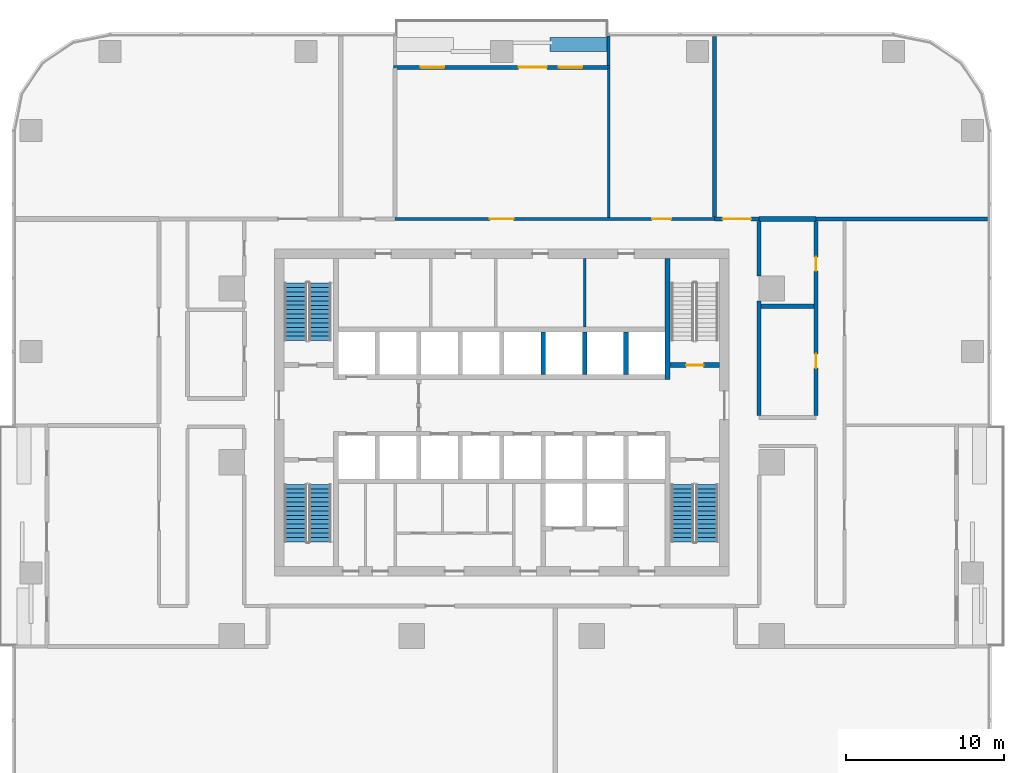
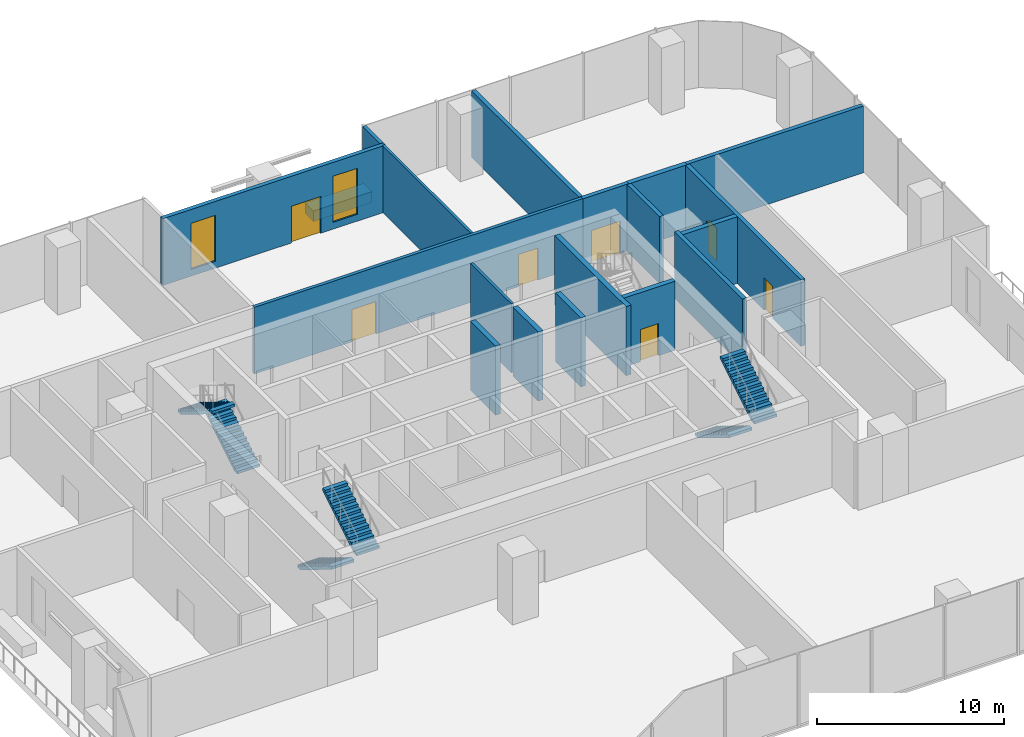
# One storey, part 10 of 14: 19 walls, 7 doors, 6 stair flights, 2 windows, 9 openings, 3 elements without a shape of their own.
"""IFC4 building model written with IfcOpenShell, lengths in metres."""

from ifc_helpers import new_model, si_unit, direction, frame, frame_2d, origin, place, context, subcontext, project, spatial, polyline, rectangle, outline, extrude, material, layer, layer_set, type_object, element, fill, aggregate, save


model = new_model("IFC4")

# Units and contexts
model_context = context("Model", 3, precision=1e-05, world=origin(), true_north=direction((0.0, 1.0)))
body_context = subcontext(model_context, "Body", "Model", "MODEL_VIEW")
ifc_project = project(units=[si_unit("LENGTHUNIT", "METRE"), si_unit("AREAUNIT", "SQUARE_METRE"), si_unit("VOLUMEUNIT", "CUBIC_METRE"), si_unit("PLANEANGLEUNIT", "RADIAN"), si_unit("MASSUNIT", "GRAM", prefix="KILO")], contexts=[model_context])

# Site, building, storey
site_placement = place(None, origin())
site = spatial("IfcSite", under=ifc_project, at=site_placement, CompositionType="ELEMENT")
building_placement = place(site_placement, origin())
building = spatial("IfcBuilding", under=site, at=building_placement, Name="Mopane Tessera Tower", CompositionType="ELEMENT")
storey_placement = place(building_placement, frame((0.0, 0.0, 40.60009765625)))
storey = spatial("IfcBuildingStorey", under=building, at=storey_placement, Name="L07", CompositionType="ELEMENT", Elevation=40.60009765625)

# Walls
ifc_material_1 = material(Name="Fire-rated gypsum board partition")
ifc_layer_1 = layer(ifc_material_1, 0.14990234375)
ifc_layer_set_1 = layer_set([ifc_layer_1], Name="Fire-rated gypsum board partition")
wall_type_1 = type_object("IfcWallType", Name="Core room partition 150 mm", PredefinedType="PARTITIONING", material=ifc_layer_set_1)
wall_1_placement = place(storey_placement, frame((5.25, 8.550048828125, 0.0), z_axis=(0.0, 0.0, 1.0), x_axis=(0.0, 1.0, 0.0)))
element("IfcWall", 1, at=wall_1_placement, inside=storey, type_object=wall_type_1, Name="L07 Room partition", PredefinedType="PARTITIONING", context=body_context, shape_type="SweptSolid", body=[
    extrude(rectangle(XDim=4.349853515625, YDim=0.14990234375, at=frame_2d((2.1748046875, 0.0))), origin(), (0.0, 0.0, 1.0), 4.5),
])
ifc_material_2 = material(Name="Concrete C60/75", Category="concrete")
ifc_layer_2 = layer(ifc_material_2, 0.300048828125)
ifc_layer_set_2 = layer_set([ifc_layer_2], Name="Concrete C60/75")
wall_type_2 = type_object("IfcWallType", Name="Core spine wall 300 mm", PredefinedType="SHEAR", material=ifc_layer_set_2)
wall_2_placement = place(storey_placement, frame((10.5, 5.25, 0.0), z_axis=(0.0, 0.0, 1.0), x_axis=(0.0, 1.0, 0.0)))
element("IfcWall", 2, at=wall_2_placement, inside=storey, type_object=wall_type_2, Name="L07 Core spine wall", PredefinedType="SHEAR", context=body_context, shape_type="SweptSolid", body=[
    extrude(rectangle(XDim=7.64990234375, YDim=0.300048828125, at=frame_2d((3.824951171875, 0.0))), origin(), (0.0, 0.0, 1.0), 4.5),
])

# Wall, openings, doors
ifc_material_3 = material(Name="Gypsum board on steel studs, two layers each face, mineral wool infill", Category="steel")
ifc_layer_3 = layer(ifc_material_3, 0.199951171875)
ifc_layer_set_3 = layer_set([ifc_layer_3], Name="Gypsum board on steel studs, two layers each face, mineral wool infill")
wall_type_3 = type_object("IfcWallType", Name="Gypsum board corridor wall 200, rated EI 60", PredefinedType="PARTITIONING", material=ifc_layer_set_3)
wall_3_placement = place(storey_placement, frame((-6.764892578125, 15.39990234375, 0.0), z_axis=(0.0, 0.0, 1.0), x_axis=(1.0, 0.0, 0.0)))
wall_3 = element("IfcWall", 3, at=wall_3_placement, inside=storey, type_object=wall_type_3, Name="Partition L07:017", PredefinedType="PARTITIONING", context=body_context, shape_type="SweptSolid", body=[
    extrude(rectangle(XDim=20.244873046875, YDim=0.199951171875, at=frame_2d((10.12255859375, 0.0))), origin(), (0.0, 0.0, 1.0), 4.349853515625),
])
opening_1_placement = place(wall_3_placement, frame((6.014892578125, 0.0, 0.0)))
opening_1 = element("IfcOpeningElement", 4, at=opening_1_placement, cuts=wall_3, Name="Opening L07-04", PredefinedType="OPENING", context=body_context, shape_type="SweptSolid", body=[
    extrude(rectangle(XDim=1.5, YDim=2.10009765625, at=frame_2d((0.75, 1.050048828125))), frame((0.0, 0.112060546875, 0.0), z_axis=(0.0, -1.0, 0.0), x_axis=(1.0, 0.0, 0.0)), (0.0, 0.0, 1.0), 0.223876953125),
])
opening_2_placement = place(wall_3_placement, frame((16.28759765625, 0.0, 0.0)))
opening_2 = element("IfcOpeningElement", 5, at=opening_2_placement, cuts=wall_3, Name="Opening L07-15", PredefinedType="OPENING", context=body_context, shape_type="SweptSolid", body=[
    extrude(rectangle(XDim=1.199951171875, YDim=2.10009765625, at=frame_2d((0.60009765625, 1.050048828125))), frame((0.0, 0.112060546875, 0.0), z_axis=(0.0, -1.0, 0.0), x_axis=(1.0, 0.0, 0.0)), (0.0, 0.0, 1.0), 0.223876953125),
])
ifc_material_4 = material(Name="Timber veneered steel-framed fire door", Category="steel")
door_type_1 = type_object("IfcDoorType", Name="Fire door FD60 1200 x 2100", OperationType="SINGLE_SWING_LEFT", PredefinedType="DOOR", material=ifc_material_4)
door_1_placement = place(opening_2_placement, origin())
door_1 = element("IfcDoor", 6, at=door_1_placement, inside=storey, type_object=door_type_1, Name="Door L07-15", ObjectType="D15A", OperationType="SINGLE_SWING_RIGHT", OverallHeight=2.10009765625, OverallWidth=1.199951171875, PredefinedType="DOOR", context=body_context, shape_type="SweptSolid", body=[
    extrude(rectangle(XDim=1.199951171875, YDim=2.10009765625, at=frame_2d((0.60009765625, 1.050048828125))), frame((0.0, 0.02490234375, 0.0), z_axis=(0.0, -1.0, 0.0), x_axis=(1.0, 0.0, 0.0)), (0.0, 0.0, 1.0), 0.050048828125),
])
fill(opening_2, door_1)
ifc_material_5 = material(Name="Timber veneered steel-framed fire door", Category="steel")
door_type_2 = type_object("IfcDoorType", Name="Fire door pair FD60 1500 x 2100", OperationType="DOUBLE_DOOR_SINGLE_SWING", PredefinedType="DOOR", material=ifc_material_5)
door_2_placement = place(opening_1_placement, origin())
door_2 = element("IfcDoor", 7, at=door_2_placement, inside=storey, type_object=door_type_2, Name="Door L07-04", ObjectType="D17A", OperationType="DOUBLE_DOOR_SINGLE_SWING", OverallHeight=2.10009765625, OverallWidth=1.5, PredefinedType="DOOR", context=body_context, shape_type="SweptSolid", body=[
    extrude(rectangle(XDim=1.5, YDim=2.10009765625, at=frame_2d((0.75, 1.050048828125))), frame((0.0, 0.02490234375, 0.0), z_axis=(0.0, -1.0, 0.0), x_axis=(1.0, 0.0, 0.0)), (0.0, 0.0, 1.0), 0.050048828125),
])
fill(opening_1, door_2)

# Wall
ifc_material_6 = material(Name="Gypsum board on steel studs, mineral wool infill", Category="steel")
ifc_layer_4 = layer(ifc_material_6, 0.14990234375)
ifc_layer_set_4 = layer_set([ifc_layer_4], Name="Gypsum board on steel studs, mineral wool infill")
wall_type_4 = type_object("IfcWallType", Name="Gypsum board partition 150, rated EI 60", PredefinedType="PARTITIONING", material=ifc_layer_set_4)
wall_4_placement = place(storey_placement, frame((6.764892578125, 15.5, 0.0), z_axis=(0.0, 0.0, 1.0), x_axis=(0.0, 1.0, 0.0)))
element("IfcWall", 8, at=wall_4_placement, inside=storey, type_object=wall_type_4, Name="Partition L07:037", PredefinedType="PARTITIONING", context=body_context, shape_type="SweptSolid", body=[
    extrude(rectangle(XDim=9.449951171875, YDim=0.14990234375, at=frame_2d((4.72509765625, 0.0))), origin(), (0.0, 0.0, 1.0), 4.349853515625),
])

# Wall, opening, door
ifc_material_7 = material(Name="Concrete C50/60", Category="concrete")
ifc_layer_5 = layer(ifc_material_7, 0.300048828125)
ifc_layer_set_5 = layer_set([ifc_layer_5], Name="Concrete C50/60")
wall_type_5 = type_object("IfcWallType", Name="Lift and stair shaft wall 300 mm", PredefinedType="SOLIDWALL", material=ifc_layer_set_5)
wall_5_placement = place(storey_placement, frame((10.64990234375, 6.14990234375, 0.0), z_axis=(0.0, 0.0, 1.0), x_axis=(1.0, 0.0, 0.0)))
wall_5 = element("IfcWall", 9, at=wall_5_placement, inside=storey, type_object=wall_type_5, Name="L07 Stair enclosure wall", PredefinedType="SOLIDWALL", context=body_context, shape_type="SweptSolid", body=[
    extrude(rectangle(XDim=3.150146484375, YDim=0.300048828125, at=frame_2d((1.5751953125, 0.0))), origin(), (0.0, 0.0, 1.0), 4.5),
])
opening_3_placement = place(wall_5_placement, frame((1.02490234375, 0.0, 0.0)))
opening_3 = element("IfcOpeningElement", 10, at=opening_3_placement, cuts=wall_5, Name="Opening SD1", PredefinedType="OPENING", context=body_context, shape_type="SweptSolid", body=[
    extrude(rectangle(XDim=1.10009765625, YDim=2.10009765625, at=frame_2d((0.550048828125, 1.050048828125))), frame((0.0, 0.162109375, 0.0), z_axis=(0.0, -1.0, 0.0), x_axis=(1.0, 0.0, 0.0)), (0.0, 0.0, 1.0), 0.323974609375),
])
ifc_material_8 = material(Name="Steel fire door", Category="steel")
door_type_3 = type_object("IfcDoorType", Name="Stair fire door 1100 x 2100", OperationType="SINGLE_SWING_LEFT", PredefinedType="DOOR", material=ifc_material_8)
door_3_placement = place(opening_3_placement, origin())
door_3 = element("IfcDoor", 11, at=door_3_placement, inside=storey, type_object=door_type_3, Name="L07 Stair door ST4", OperationType="SINGLE_SWING_RIGHT", OverallHeight=2.10009765625, OverallWidth=1.10009765625, PredefinedType="DOOR", context=body_context, shape_type="SweptSolid", body=[
    extrude(rectangle(XDim=1.10009765625, YDim=2.10009765625, at=frame_2d((0.550048828125, 1.050048828125))), frame((0.0, 0.02490234375, 0.0), z_axis=(0.0, -1.0, 0.0), x_axis=(1.0, 0.0, 0.0)), (0.0, 0.0, 1.0), 0.050048828125),
])
fill(opening_3, door_3)

# Walls
for number, where, z_axis, x_axis, name in (
    (12, (2.625, 5.550048828125, 0.0), (0.0, 0.0, 1.0), (0.0, 1.0, 0.0), "L07 Lift shaft wall"),
    (13, (5.25, 5.550048828125, 0.0), (0.0, 0.0, 1.0), (0.0, 1.0, 0.0), "L07 Lift shaft wall"),
    (14, (7.875, 5.550048828125, 0.0), (0.0, 0.0, 1.0), (0.0, 1.0, 0.0), "L07 Lift shaft wall"),
):
    element("IfcWall", number, at=place(storey_placement, frame(where, z_axis=z_axis, x_axis=x_axis)), inside=storey, type_object=wall_type_5, Name=name, PredefinedType="SOLIDWALL", context=body_context, shape_type="SweptSolid", body=[
        extrude(rectangle(XDim=2.699951171875, YDim=0.300048828125, at=frame_2d((1.35009765625, 0.0))), origin(), (0.0, 0.0, 1.0), 4.5),
    ])
ifc_material_9 = material(Name="Reinforced concrete C32/40 with waterproofing", Category="concrete")
ifc_layer_6 = layer(ifc_material_9, 0.89990234375)
ifc_layer_set_6 = layer_set([ifc_layer_6], Name="Reinforced concrete C32/40 with waterproofing")
wall_type_6 = type_object("IfcWallType", Name="Planter trough 3600 x 900", PredefinedType="STANDARD", material=ifc_layer_set_6)
wall_6_placement = place(storey_placement, frame((6.66357421875, 26.449951171875, 0.0), z_axis=(0.0, 0.0, 1.0), x_axis=(-1.0, 0.0, 0.0)))
element("IfcWall", 15, at=wall_6_placement, inside=storey, type_object=wall_type_6, Name="e:nw:L07:N2:pl0", PredefinedType="STANDARD", context=body_context, shape_type="SweptSolid", body=[
    extrude(rectangle(XDim=3.599853515625, YDim=0.89990234375, at=frame_2d((1.7998046875, 0.0))), origin(), (0.0, 0.0, 1.0), 0.699951171875),
])
ifc_material_10 = material(Name="Plastered concrete blockwork C20/25", Category="masonry")
ifc_layer_7 = layer(ifc_material_10, 0.300048828125)
ifc_layer_set_7 = layer_set([ifc_layer_7], Name="Plastered concrete blockwork C20/25")
wall_type_7 = type_object("IfcWallType", Name="Plastered blockwork separation wall 300, rated EI 120", PredefinedType="PARTITIONING", material=ifc_layer_set_7)
wall_7_placement = place(storey_placement, frame((16.425048828125, 9.8701171875, 0.0), z_axis=(0.0, 0.0, 1.0), x_axis=(1.0, 0.0, 0.0)))
element("IfcWall", 16, at=wall_7_placement, inside=storey, type_object=wall_type_7, Name="Partition L07:016", PredefinedType="PARTITIONING", context=body_context, shape_type="SweptSolid", body=[
    extrude(rectangle(XDim=3.349853515625, YDim=0.300048828125, at=frame_2d((1.6748046875, 0.0))), origin(), (0.0, 0.0, 1.0), 4.349853515625),
])
wall_8_placement = place(storey_placement, frame((16.300048828125, 15.39990234375, 0.0), z_axis=(0.0, 0.0, 1.0), x_axis=(1.0, 0.0, 0.0)))
element("IfcWall", 17, at=wall_8_placement, inside=storey, type_object=wall_type_7, Name="Partition L07:022", PredefinedType="PARTITIONING", context=body_context, shape_type="SweptSolid", body=[
    extrude(rectangle(XDim=3.599853515625, YDim=0.300048828125, at=frame_2d((1.7998046875, 0.0))), origin(), (0.0, 0.0, 1.0), 4.349853515625),
])

# Wall, opening, door
ifc_material_11 = material(Name="Plastered concrete blockwork C20/25", Category="masonry")
ifc_layer_8 = layer(ifc_material_11, 0.25)
ifc_layer_set_8 = layer_set([ifc_layer_8], Name="Plastered concrete blockwork C20/25")
wall_type_8 = type_object("IfcWallType", Name="Plastered blockwork wall 250, rated EI 120", PredefinedType="PARTITIONING", material=ifc_layer_set_8)
wall_9_placement = place(storey_placement, frame((13.47998046875, 15.39990234375, 0.0), z_axis=(0.0, 0.0, 1.0), x_axis=(1.0, 0.0, 0.0)))
wall_9 = element("IfcWall", 18, at=wall_9_placement, inside=storey, type_object=wall_type_8, Name="Partition L07:019", PredefinedType="PARTITIONING", context=body_context, shape_type="SweptSolid", body=[
    extrude(rectangle(XDim=2.820068359375, YDim=0.25, at=frame_2d((1.41015625, 0.0))), origin(), (0.0, 0.0, 1.0), 4.349853515625),
])
opening_4_placement = place(wall_9_placement, frame((0.510009765625, 0.0, 0.0)))
opening_4 = element("IfcOpeningElement", 19, at=opening_4_placement, cuts=wall_9, Name="Opening L07-12", PredefinedType="OPENING", context=body_context, shape_type="SweptSolid", body=[
    extrude(rectangle(XDim=1.800048828125, YDim=2.10009765625, at=frame_2d((0.89990234375, 1.050048828125))), frame((0.0, 0.136962890625, 0.0), z_axis=(0.0, -1.0, 0.0), x_axis=(1.0, 0.0, 0.0)), (0.0, 0.0, 1.0), 0.27392578125),
])
ifc_material_12 = material(Name="Timber veneered steel-framed fire door", Category="steel")
door_type_4 = type_object("IfcDoorType", Name="Fire door pair FD120 1800 x 2100", OperationType="DOUBLE_DOOR_SINGLE_SWING", PredefinedType="DOOR", material=ifc_material_12)
door_4_placement = place(opening_4_placement, origin())
door_4 = element("IfcDoor", 20, at=door_4_placement, inside=storey, type_object=door_type_4, Name="Door L07-12", ObjectType="D20B", OperationType="DOUBLE_DOOR_SINGLE_SWING", OverallHeight=2.10009765625, OverallWidth=1.800048828125, PredefinedType="DOOR", context=body_context, shape_type="SweptSolid", body=[
    extrude(rectangle(XDim=1.800048828125, YDim=2.10009765625, at=frame_2d((0.89990234375, 1.050048828125))), frame((0.0, 0.02490234375, 0.0), z_axis=(0.0, -1.0, 0.0), x_axis=(1.0, 0.0, 0.0)), (0.0, 0.0, 1.0), 0.050048828125),
])
fill(opening_4, door_4)

# Walls
wall_10_placement = place(storey_placement, frame((19.89990234375, 15.39990234375, 0.0), z_axis=(0.0, 0.0, 1.0), x_axis=(1.0, 0.0, 0.0)))
element("IfcWall", 21, at=wall_10_placement, inside=storey, type_object=wall_type_8, Name="Partition L07:020", PredefinedType="PARTITIONING", context=body_context, shape_type="SweptSolid", body=[
    extrude(rectangle(XDim=10.85009765625, YDim=0.25, at=frame_2d((5.425048828125, 0.0))), origin(), (0.0, 0.0, 1.0), 4.349853515625),
])
wall_11_placement = place(storey_placement, frame((13.47998046875, 15.52490234375, 0.0), z_axis=(0.0, 0.0, 1.0), x_axis=(0.0, 1.0, 0.0)))
element("IfcWall", 22, at=wall_11_placement, inside=storey, type_object=wall_type_8, Name="Partition L07:038", PredefinedType="PARTITIONING", context=body_context, shape_type="SweptSolid", body=[
    extrude(rectangle(XDim=11.425048828125, YDim=0.25, at=frame_2d((5.71240234375, 0.0))), origin(), (0.0, 0.0, 1.0), 4.349853515625),
])
wall_12_placement = place(storey_placement, frame((16.300048828125, 2.949951171875, 0.0), z_axis=(0.0, 0.0, 1.0), x_axis=(0.0, 1.0, 0.0)))
element("IfcWall", 23, at=wall_12_placement, inside=storey, type_object=wall_type_8, Name="Partition L07:041", PredefinedType="PARTITIONING", context=body_context, shape_type="SweptSolid", body=[
    extrude(rectangle(XDim=7.25, YDim=0.25, at=frame_2d((3.625, 0.0))), origin(), (0.0, 0.0, 1.0), 4.349853515625),
])
wall_13_placement = place(storey_placement, frame((16.300048828125, 11.800048828125, 0.0), z_axis=(0.0, 0.0, 1.0), x_axis=(0.0, 1.0, 0.0)))
element("IfcWall", 24, at=wall_13_placement, inside=storey, type_object=wall_type_8, Name="Partition L07:042", PredefinedType="PARTITIONING", context=body_context, shape_type="SweptSolid", body=[
    extrude(rectangle(XDim=3.449951171875, YDim=0.25, at=frame_2d((1.72509765625, 0.0))), origin(), (0.0, 0.0, 1.0), 4.349853515625),
])

# Wall, openings, doors
wall_14_placement = place(storey_placement, frame((19.89990234375, 2.949951171875, 0.0), z_axis=(0.0, 0.0, 1.0), x_axis=(0.0, 1.0, 0.0)))
wall_14 = element("IfcWall", 25, at=wall_14_placement, inside=storey, type_object=wall_type_8, Name="Partition L07:044", PredefinedType="PARTITIONING", context=body_context, shape_type="SweptSolid", body=[
    extrude(rectangle(XDim=12.300048828125, YDim=0.25, at=frame_2d((6.14990234375, 0.0))), origin(), (0.0, 0.0, 1.0), 4.349853515625),
])
opening_5_placement = place(wall_14_placement, frame((9.159912109375, 0.0, 0.0)))
opening_5 = element("IfcOpeningElement", 26, at=opening_5_placement, cuts=wall_14, Name="Opening L07-02", PredefinedType="OPENING", context=body_context, shape_type="SweptSolid", body=[
    extrude(rectangle(XDim=0.89990234375, YDim=2.10009765625, at=frame_2d((0.449951171875, 1.050048828125))), frame((0.0, 0.136962890625, 0.0), z_axis=(0.0, -1.0, 0.0), x_axis=(1.0, 0.0, 0.0)), (0.0, 0.0, 1.0), 0.27392578125),
])
opening_6_placement = place(wall_14_placement, frame((3.010009765625, 0.0, 0.0)))
opening_6 = element("IfcOpeningElement", 27, at=opening_6_placement, cuts=wall_14, Name="Opening L07-11", PredefinedType="OPENING", context=body_context, shape_type="SweptSolid", body=[
    extrude(rectangle(XDim=0.89990234375, YDim=2.10009765625, at=frame_2d((0.449951171875, 1.050048828125))), frame((0.0, 0.136962890625, 0.0), z_axis=(0.0, -1.0, 0.0), x_axis=(1.0, 0.0, 0.0)), (0.0, 0.0, 1.0), 0.27392578125),
])
ifc_material_13 = material(Name="Timber veneered steel-framed fire door", Category="steel")
door_type_5 = type_object("IfcDoorType", Name="Fire door FD120 900 x 2100", OperationType="SINGLE_SWING_LEFT", PredefinedType="DOOR", material=ifc_material_13)
door_5_placement = place(opening_5_placement, origin())
door_5 = element("IfcDoor", 28, at=door_5_placement, inside=storey, type_object=door_type_5, Name="Door L07-02", ObjectType="D10B", OperationType="SINGLE_SWING_RIGHT", OverallHeight=2.10009765625, OverallWidth=0.89990234375, PredefinedType="DOOR", context=body_context, shape_type="SweptSolid", body=[
    extrude(rectangle(XDim=0.89990234375, YDim=2.10009765625, at=frame_2d((0.449951171875, 1.050048828125))), frame((0.0, 0.02490234375, 0.0), z_axis=(0.0, -1.0, 0.0), x_axis=(1.0, 0.0, 0.0)), (0.0, 0.0, 1.0), 0.050048828125),
])
fill(opening_5, door_5)
door_6_placement = place(opening_6_placement, origin())
door_6 = element("IfcDoor", 29, at=door_6_placement, inside=storey, type_object=door_type_5, Name="Door L07-11", ObjectType="D10B", OperationType="SINGLE_SWING_LEFT", OverallHeight=2.10009765625, OverallWidth=0.89990234375, PredefinedType="DOOR", context=body_context, shape_type="SweptSolid", body=[
    extrude(rectangle(XDim=0.89990234375, YDim=2.10009765625, at=frame_2d((0.449951171875, 1.050048828125))), frame((0.0, 0.02490234375, 0.0), z_axis=(0.0, -1.0, 0.0), x_axis=(1.0, 0.0, 0.0)), (0.0, 0.0, 1.0), 0.050048828125),
])
fill(opening_6, door_6)

# Wall
ifc_material_14 = material(Name="Blockwork with glazed tile facing", Category="masonry")
ifc_layer_9 = layer(ifc_material_14, 0.199951171875)
ifc_layer_set_9 = layer_set([ifc_layer_9], Name="Blockwork with glazed tile facing")
wall_type_9 = type_object("IfcWallType", Name="Terrace cheek wall 200", PredefinedType="STANDARD", material=ifc_layer_set_9)
wall_15_placement = place(storey_placement, frame((6.763671875, 27.0, 0.0), z_axis=(0.0, 0.0, 1.0), x_axis=(0.0, -1.0, 0.0)))
element("IfcWall", 30, at=wall_15_placement, inside=storey, type_object=wall_type_9, Name="e:nw:L07:N2:cheeka", PredefinedType="STANDARD", context=body_context, shape_type="SweptSolid", body=[
    extrude(rectangle(XDim=1.875, YDim=0.199951171875, at=frame_2d((0.9375, 0.0))), origin(), (0.0, 0.0, 1.0), 4.349853515625),
])

# Wall, openings, windows, door
ifc_material_15 = material(Name="Blockwork with ultramarine glazed tile facing", Category="masonry")
ifc_layer_10 = layer(ifc_material_15, 0.25)
ifc_layer_set_10 = layer_set([ifc_layer_10], Name="Blockwork with ultramarine glazed tile facing")
wall_type_10 = type_object("IfcWallType", Name="Tile-clad external wall 250, ultramarine", PredefinedType="STANDARD", material=ifc_layer_set_10)
wall_16_placement = place(storey_placement, frame((6.863525390625, 25.0, 0.0), z_axis=(0.0, 0.0, 1.0), x_axis=(-1.0, 0.0, 0.0)))
wall_16 = element("IfcWall", 31, at=wall_16_placement, inside=storey, type_object=wall_type_10, Name="e:nw:L07:N2:back", PredefinedType="STANDARD", context=body_context, shape_type="SweptSolid", body=[
    extrude(rectangle(XDim=13.72705078125, YDim=0.25, at=frame_2d((6.863525390625, 0.0))), origin(), (0.0, 0.0, 1.0), 4.349853515625),
])
opening_7_placement = place(wall_16_placement, frame((1.75, 0.0, 0.449951171875)))
opening_7 = element("IfcOpeningElement", 32, at=opening_7_placement, cuts=wall_16, Name="Opening NW072A", PredefinedType="OPENING", context=body_context, shape_type="SweptSolid", body=[
    extrude(rectangle(XDim=1.5, YDim=3.0, at=frame_2d((0.75, 1.5))), frame((0.0, 0.136962890625, 0.0), z_axis=(0.0, -1.0, 0.0), x_axis=(1.0, 0.0, 0.0)), (0.0, 0.0, 1.0), 0.27392578125),
])
opening_8_placement = place(wall_16_placement, frame((4.0, 0.0, 0.0)))
opening_8 = element("IfcOpeningElement", 33, at=opening_8_placement, cuts=wall_16, Name="Opening ND072", PredefinedType="OPENING", context=body_context, shape_type="SweptSolid", body=[
    extrude(rectangle(XDim=1.800048828125, YDim=2.39990234375, at=frame_2d((0.89990234375, 1.199951171875))), frame((0.0, 0.136962890625, 0.0), z_axis=(0.0, -1.0, 0.0), x_axis=(1.0, 0.0, 0.0)), (0.0, 0.0, 1.0), 0.27392578125),
])
opening_9_placement = place(wall_16_placement, frame((10.5, 0.0, 0.449951171875)))
opening_9 = element("IfcOpeningElement", 34, at=opening_9_placement, cuts=wall_16, Name="Opening NW072B", PredefinedType="OPENING", context=body_context, shape_type="SweptSolid", body=[
    extrude(rectangle(XDim=1.5, YDim=3.0, at=frame_2d((0.75, 1.5))), frame((0.0, 0.136962890625, 0.0), z_axis=(0.0, -1.0, 0.0), x_axis=(1.0, 0.0, 0.0)), (0.0, 0.0, 1.0), 0.27392578125),
])
ifc_material_16 = material(Name="Clear laminated glass", Category="glass")
window_type = type_object("IfcWindowType", Name="Fixed window 1500 x 3000", PartitioningType="SINGLE_PANEL", PredefinedType="WINDOW", material=ifc_material_16)
window_1_placement = place(opening_7_placement, origin())
window_1 = element("IfcWindow", 35, at=window_1_placement, inside=storey, type_object=window_type, Name="e:nw:L07:N2:win0", OverallHeight=3.0, OverallWidth=1.5, PartitioningType="SINGLE_PANEL", PredefinedType="WINDOW", context=body_context, shape_type="SweptSolid", body=[
    extrude(rectangle(XDim=1.5, YDim=3.0, at=frame_2d((0.75, 1.5))), frame((0.0, 0.030029296875, 0.0), z_axis=(0.0, -1.0, 0.0), x_axis=(1.0, 0.0, 0.0)), (0.0, 0.0, 1.0), 0.06005859375),
])
fill(opening_7, window_1)
window_2_placement = place(opening_9_placement, origin())
window_2 = element("IfcWindow", 36, at=window_2_placement, inside=storey, type_object=window_type, Name="e:nw:L07:N2:win2", OverallHeight=3.0, OverallWidth=1.5, PartitioningType="SINGLE_PANEL", PredefinedType="WINDOW", context=body_context, shape_type="SweptSolid", body=[
    extrude(rectangle(XDim=1.5, YDim=3.0, at=frame_2d((0.75, 1.5))), frame((0.0, 0.030029296875, 0.0), z_axis=(0.0, -1.0, 0.0), x_axis=(1.0, 0.0, 0.0)), (0.0, 0.0, 1.0), 0.06005859375),
])
fill(opening_9, window_2)
ifc_material_17 = material(Name="Aluminium and clear glass", Category="aluminium")
door_type_6 = type_object("IfcDoorType", Name="Terrace double door 1800 x 2400", OperationType="DOUBLE_DOOR_SINGLE_SWING", PredefinedType="DOOR", material=ifc_material_17)
door_7_placement = place(opening_8_placement, origin())
door_7 = element("IfcDoor", 37, at=door_7_placement, inside=storey, type_object=door_type_6, Name="e:nw:L07:N2:door", ObjectType="D1", OperationType="DOUBLE_DOOR_SINGLE_SWING", OverallHeight=2.39990234375, OverallWidth=1.800048828125, PredefinedType="DOOR", context=body_context, shape_type="SweptSolid", body=[
    extrude(rectangle(XDim=1.800048828125, YDim=2.39990234375, at=frame_2d((0.89990234375, 1.199951171875))), frame((0.0, 0.02490234375, 0.0), z_axis=(0.0, -1.0, 0.0), x_axis=(1.0, 0.0, 0.0)), (0.0, 0.0, 1.0), 0.050048828125),
])
fill(opening_8, door_7)

# Stair, stair flights
ifc_material_18 = material(Name="Concrete C50/60", Category="concrete")
stair_type = type_object("IfcStairType", Name="Escape stair 1400 mm, riser 171 mm", PredefinedType="HALF_TURN_STAIR", material=ifc_material_18)
stair_1_placement = place(storey_placement, origin())
stair_1 = element("IfcStair", 38, at=stair_1_placement, inside=storey, type_object=stair_type, Name="L07 Escape stair south-west", PredefinedType="HALF_TURN_STAIR")
ifc_material_19 = material(Name="Concrete C50/60", Category="concrete")
stair_flight_type = type_object("IfcStairFlightType", Name="Escape stair flight 1400 mm", PredefinedType="STRAIGHT", material=ifc_material_19)
stair_flight_1_placement = place(storey_placement, frame((-13.050048828125, -1.39990234375, 0.0), z_axis=(0.0, 0.0, 1.0), x_axis=(0.0, -1.0, 0.0)))
stair_flight_1 = element("IfcStairFlight", 39, at=stair_flight_1_placement, type_object=stair_flight_type, Name="ST1 flight 1", NumberOfRisers=14, NumberOfTreads=13, PredefinedType="STRAIGHT", RiserHeight=0.171428571, TreadLength=0.28, context=body_context, shape_type="SweptSolid", body=[
    extrude(outline(polyline([(0.0, 0.0), (0.0, 0.17138671875), (0.280029296875, 0.17138671875), (0.280029296875, 0.3427734375), (0.56005859375, 0.3427734375), (0.56005859375, 0.514404296875), (0.840087890625, 0.514404296875), (0.840087890625, 0.685791015625), (1.1201171875, 0.685791015625), (1.1201171875, 0.857177734375), (1.39990234375, 0.857177734375), (1.39990234375, 1.028564453125), (1.679931640625, 1.028564453125), (1.679931640625, 1.199951171875), (1.9599609375, 1.199951171875), (1.9599609375, 1.371337890625), (2.239990234375, 1.371337890625), (2.239990234375, 1.54296875), (2.52001953125, 1.54296875), (2.52001953125, 1.71435546875), (2.800048828125, 1.71435546875), (2.800048828125, 1.8857421875), (3.080078125, 1.8857421875), (3.080078125, 2.05712890625), (3.360107421875, 2.05712890625), (3.360107421875, 2.228515625), (3.639892578125, 2.228515625), (3.639892578125, 2.39990234375), (3.639892578125, 2.052734375), (0.287109375, 0.0), (0.0, 0.0)])), frame((0.0, 0.699951171875, 0.0), z_axis=(0.0, -1.0, 0.0), x_axis=(1.0, 0.0, 0.0)), (0.0, 0.0, 1.0), 1.39990234375),
])
stair_flight_2_placement = place(storey_placement, frame((-11.5, -5.0400390625, 2.39990234375), z_axis=(0.0, 0.0, 1.0), x_axis=(0.0, 1.0, 0.0)))
stair_flight_2 = element("IfcStairFlight", 40, at=stair_flight_2_placement, type_object=stair_flight_type, Name="ST1 flight 2", NumberOfRisers=14, NumberOfTreads=13, PredefinedType="STRAIGHT", RiserHeight=0.171428571, TreadLength=0.28, context=body_context, shape_type="SweptSolid", body=[
    extrude(outline(polyline([(0.0, 0.0), (0.0, 0.17138671875), (0.280029296875, 0.17138671875), (0.280029296875, 0.3427734375), (0.56005859375, 0.3427734375), (0.56005859375, 0.514404296875), (0.840087890625, 0.514404296875), (0.840087890625, 0.685791015625), (1.1201171875, 0.685791015625), (1.1201171875, 0.857177734375), (1.39990234375, 0.857177734375), (1.39990234375, 1.028564453125), (1.679931640625, 1.028564453125), (1.679931640625, 1.199951171875), (1.9599609375, 1.199951171875), (1.9599609375, 1.371337890625), (2.239990234375, 1.371337890625), (2.239990234375, 1.54296875), (2.52001953125, 1.54296875), (2.52001953125, 1.71435546875), (2.800048828125, 1.71435546875), (2.800048828125, 1.8857421875), (3.080078125, 1.8857421875), (3.080078125, 2.05712890625), (3.360107421875, 2.05712890625), (3.360107421875, 2.228515625), (3.639892578125, 2.228515625), (3.639892578125, 2.39990234375), (3.639892578125, 2.052734375), (0.287109375, 0.0), (0.0, 0.0)])), frame((0.0, 0.699951171875, 0.0), z_axis=(0.0, -1.0, 0.0), x_axis=(1.0, 0.0, 0.0)), (0.0, 0.0, 1.0), 1.39990234375),
])
aggregate(stair_1, [stair_flight_1, stair_flight_2])

stair_2_placement = place(storey_placement, origin())
stair_2 = element("IfcStair", 41, at=stair_2_placement, inside=storey, type_object=stair_type, Name="L07 Escape stair north-west", PredefinedType="HALF_TURN_STAIR")
stair_flight_3_placement = place(storey_placement, frame((-11.5, 7.699951171875, 0.0), z_axis=(0.0, 0.0, 1.0), x_axis=(0.0, 1.0, 0.0)))
stair_flight_3 = element("IfcStairFlight", 42, at=stair_flight_3_placement, type_object=stair_flight_type, Name="ST2 flight 1", NumberOfRisers=14, NumberOfTreads=13, PredefinedType="STRAIGHT", RiserHeight=0.171428571, TreadLength=0.28, context=body_context, shape_type="SweptSolid", body=[
    extrude(outline(polyline([(0.0, 0.0), (0.0, 0.17138671875), (0.280029296875, 0.17138671875), (0.280029296875, 0.3427734375), (0.56005859375, 0.3427734375), (0.56005859375, 0.514404296875), (0.840087890625, 0.514404296875), (0.840087890625, 0.685791015625), (1.1201171875, 0.685791015625), (1.1201171875, 0.857177734375), (1.39990234375, 0.857177734375), (1.39990234375, 1.028564453125), (1.679931640625, 1.028564453125), (1.679931640625, 1.199951171875), (1.9599609375, 1.199951171875), (1.9599609375, 1.371337890625), (2.239990234375, 1.371337890625), (2.239990234375, 1.54296875), (2.52001953125, 1.54296875), (2.52001953125, 1.71435546875), (2.800048828125, 1.71435546875), (2.800048828125, 1.8857421875), (3.080078125, 1.8857421875), (3.080078125, 2.05712890625), (3.360107421875, 2.05712890625), (3.360107421875, 2.228515625), (3.639892578125, 2.228515625), (3.639892578125, 2.39990234375), (3.639892578125, 2.052734375), (0.287109375, 0.0), (0.0, 0.0)])), frame((0.0, 0.699951171875, 0.0), z_axis=(0.0, -1.0, 0.0), x_axis=(1.0, 0.0, 0.0)), (0.0, 0.0, 1.0), 1.39990234375),
])
stair_flight_4_placement = place(storey_placement, frame((-13.050048828125, 11.340087890625, 2.39990234375), z_axis=(0.0, 0.0, 1.0), x_axis=(0.0, -1.0, 0.0)))
stair_flight_4 = element("IfcStairFlight", 43, at=stair_flight_4_placement, type_object=stair_flight_type, Name="ST2 flight 2", NumberOfRisers=14, NumberOfTreads=13, PredefinedType="STRAIGHT", RiserHeight=0.171428571, TreadLength=0.28, context=body_context, shape_type="SweptSolid", body=[
    extrude(outline(polyline([(0.0, 0.0), (0.0, 0.17138671875), (0.280029296875, 0.17138671875), (0.280029296875, 0.3427734375), (0.56005859375, 0.3427734375), (0.56005859375, 0.514404296875), (0.840087890625, 0.514404296875), (0.840087890625, 0.685791015625), (1.1201171875, 0.685791015625), (1.1201171875, 0.857177734375), (1.39990234375, 0.857177734375), (1.39990234375, 1.028564453125), (1.679931640625, 1.028564453125), (1.679931640625, 1.199951171875), (1.9599609375, 1.199951171875), (1.9599609375, 1.371337890625), (2.239990234375, 1.371337890625), (2.239990234375, 1.54296875), (2.52001953125, 1.54296875), (2.52001953125, 1.71435546875), (2.800048828125, 1.71435546875), (2.800048828125, 1.8857421875), (3.080078125, 1.8857421875), (3.080078125, 2.05712890625), (3.360107421875, 2.05712890625), (3.360107421875, 2.228515625), (3.639892578125, 2.228515625), (3.639892578125, 2.39990234375), (3.639892578125, 2.052734375), (0.287109375, 0.0), (0.0, 0.0)])), frame((0.0, 0.699951171875, 0.0), z_axis=(0.0, -1.0, 0.0), x_axis=(1.0, 0.0, 0.0)), (0.0, 0.0, 1.0), 1.39990234375),
])
aggregate(stair_2, [stair_flight_3, stair_flight_4])

stair_3_placement = place(storey_placement, origin())
stair_3 = element("IfcStair", 44, at=stair_3_placement, inside=storey, type_object=stair_type, Name="L07 Escape stair south-east", PredefinedType="HALF_TURN_STAIR")
stair_flight_5_placement = place(storey_placement, frame((11.449951171875, -1.39990234375, 0.0), z_axis=(0.0, 0.0, 1.0), x_axis=(0.0, -1.0, 0.0)))
stair_flight_5 = element("IfcStairFlight", 45, at=stair_flight_5_placement, type_object=stair_flight_type, Name="ST3 flight 1", NumberOfRisers=14, NumberOfTreads=13, PredefinedType="STRAIGHT", RiserHeight=0.171428571, TreadLength=0.28, context=body_context, shape_type="SweptSolid", body=[
    extrude(outline(polyline([(0.0, 0.0), (0.0, 0.17138671875), (0.280029296875, 0.17138671875), (0.280029296875, 0.3427734375), (0.56005859375, 0.3427734375), (0.56005859375, 0.514404296875), (0.840087890625, 0.514404296875), (0.840087890625, 0.685791015625), (1.1201171875, 0.685791015625), (1.1201171875, 0.857177734375), (1.39990234375, 0.857177734375), (1.39990234375, 1.028564453125), (1.679931640625, 1.028564453125), (1.679931640625, 1.199951171875), (1.9599609375, 1.199951171875), (1.9599609375, 1.371337890625), (2.239990234375, 1.371337890625), (2.239990234375, 1.54296875), (2.52001953125, 1.54296875), (2.52001953125, 1.71435546875), (2.800048828125, 1.71435546875), (2.800048828125, 1.8857421875), (3.080078125, 1.8857421875), (3.080078125, 2.05712890625), (3.360107421875, 2.05712890625), (3.360107421875, 2.228515625), (3.639892578125, 2.228515625), (3.639892578125, 2.39990234375), (3.639892578125, 2.052734375), (0.287109375, 0.0), (0.0, 0.0)])), frame((0.0, 0.699951171875, 0.0), z_axis=(0.0, -1.0, 0.0), x_axis=(1.0, 0.0, 0.0)), (0.0, 0.0, 1.0), 1.39990234375),
])
stair_flight_6_placement = place(storey_placement, frame((13.0, -5.0400390625, 2.39990234375), z_axis=(0.0, 0.0, 1.0), x_axis=(0.0, 1.0, 0.0)))
stair_flight_6 = element("IfcStairFlight", 46, at=stair_flight_6_placement, type_object=stair_flight_type, Name="ST3 flight 2", NumberOfRisers=14, NumberOfTreads=13, PredefinedType="STRAIGHT", RiserHeight=0.171428571, TreadLength=0.28, context=body_context, shape_type="SweptSolid", body=[
    extrude(outline(polyline([(0.0, 0.0), (0.0, 0.17138671875), (0.280029296875, 0.17138671875), (0.280029296875, 0.3427734375), (0.56005859375, 0.3427734375), (0.56005859375, 0.514404296875), (0.840087890625, 0.514404296875), (0.840087890625, 0.685791015625), (1.1201171875, 0.685791015625), (1.1201171875, 0.857177734375), (1.39990234375, 0.857177734375), (1.39990234375, 1.028564453125), (1.679931640625, 1.028564453125), (1.679931640625, 1.199951171875), (1.9599609375, 1.199951171875), (1.9599609375, 1.371337890625), (2.239990234375, 1.371337890625), (2.239990234375, 1.54296875), (2.52001953125, 1.54296875), (2.52001953125, 1.71435546875), (2.800048828125, 1.71435546875), (2.800048828125, 1.8857421875), (3.080078125, 1.8857421875), (3.080078125, 2.05712890625), (3.360107421875, 2.05712890625), (3.360107421875, 2.228515625), (3.639892578125, 2.228515625), (3.639892578125, 2.39990234375), (3.639892578125, 2.052734375), (0.287109375, 0.0), (0.0, 0.0)])), frame((0.0, 0.699951171875, 0.0), z_axis=(0.0, -1.0, 0.0), x_axis=(1.0, 0.0, 0.0)), (0.0, 0.0, 1.0), 1.39990234375),
])
aggregate(stair_3, [stair_flight_5, stair_flight_6])

save(model, "model.ifc")
